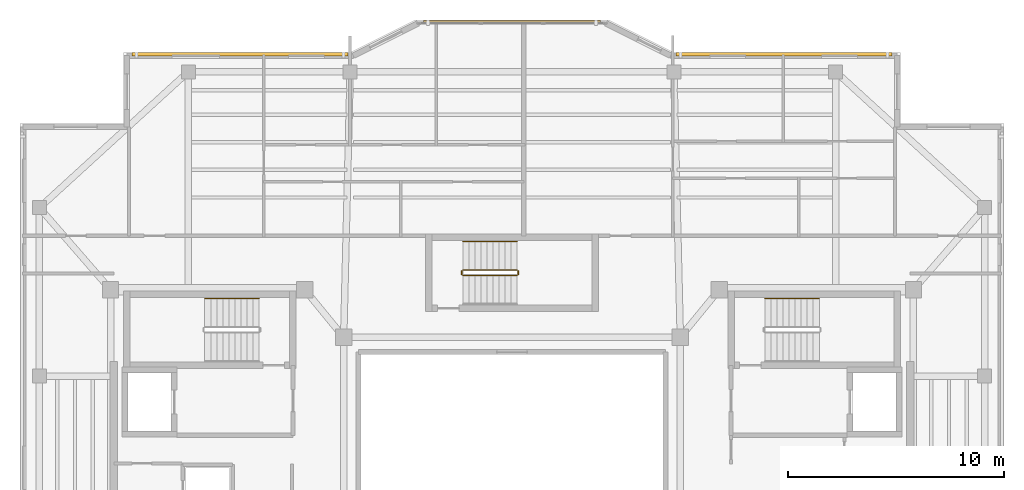
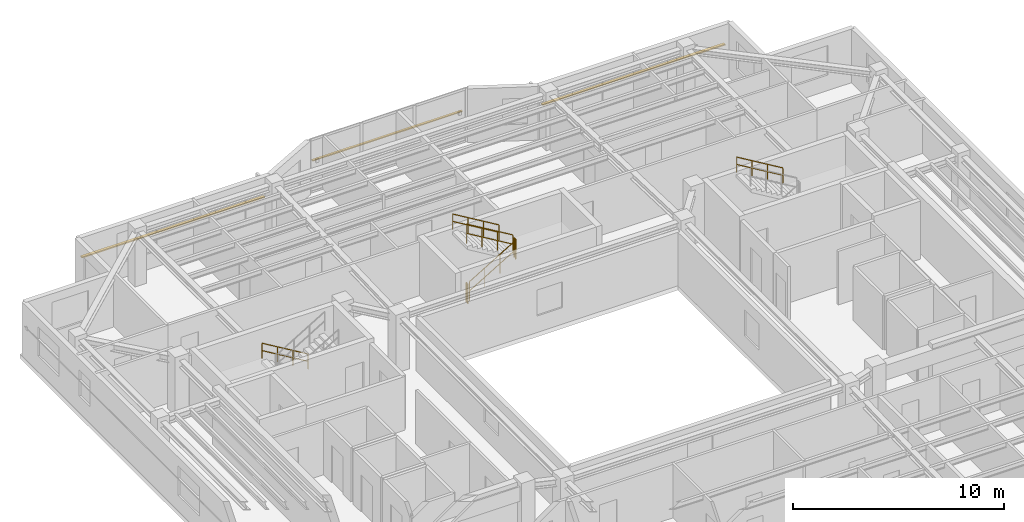
# One storey, part 13 of 13: 7 railings, 3 shading devices.
"""IFC4 building model written with IfcOpenShell, lengths in metres."""

from ifc_helpers import new_model, si_unit, direction, frame, origin, origin_2d, place, context, subcontext, project, spatial, rectangle, circle, extrude, material, material_profile, profile_set, type_object, element, save


model = new_model("IFC4")

# Units and contexts
model_context = context("Model", 3, precision=1e-05, world=origin(), true_north=direction((0.0, 1.0)))
body_context = subcontext(model_context, "Body", "Model", "MODEL_VIEW")
ifc_project = project(units=[si_unit("LENGTHUNIT", "METRE"), si_unit("AREAUNIT", "SQUARE_METRE"), si_unit("VOLUMEUNIT", "CUBIC_METRE"), si_unit("PLANEANGLEUNIT", "RADIAN"), si_unit("MASSUNIT", "GRAM", prefix="KILO")], contexts=[model_context])

# Site, building, storey
site_placement = place(None, origin())
site = spatial("IfcSite", under=ifc_project, at=site_placement, CompositionType="ELEMENT")
building_placement = place(site_placement, origin())
building = spatial("IfcBuilding", under=site, at=building_placement, Name="Tarnavaz Court Tower", CompositionType="ELEMENT")
storey_placement = place(building_placement, frame((0.0, 0.0, 251.550048828125)))
storey = spatial("IfcBuildingStorey", under=building, at=storey_placement, Name="L68", CompositionType="ELEMENT", Elevation=251.550048828125)

# Railings
ifc_material_1 = material(Name="Brushed Stainless Steel", Category="steel")
railing_type_1 = type_object("IfcRailingType", Name="RL-HANDRAIL-900", PredefinedType="HANDRAIL", material=ifc_material_1)
railing_1_placement = place(storey_placement, frame((-11.719970703125, 9.590087890625, 0.16748046875)))
element("IfcRailing", 1, at=railing_1_placement, inside=storey, type_object=railing_type_1, Name="L68 ST-W1 stair handrail 1", PredefinedType="HANDRAIL", context=body_context, shape_type="SweptSolid", body=[
    extrude(circle(Radius=0.02392578125, at=origin_2d()), frame((0.0, 0.0, 0.8759765625), z_axis=(-0.858159760407, 0.0, 0.513382728203), x_axis=(0.0, -1.0, 0.0)), (0.0, 0.0, 1.0), 2.9365234375),
    extrude(circle(Radius=0.02392578125, at=origin_2d()), frame((0.0, 0.0, 0.449951171875), z_axis=(-0.858159760407, 0.0, 0.513382728203), x_axis=(0.0, -1.0, 0.0)), (0.0, 0.0, 1.0), 2.9365234375),
    extrude(circle(Radius=0.02099609375, at=origin_2d()), origin(), (0.0, 0.0, 1.0), 0.851806640625),
    extrude(circle(Radius=0.02099609375, at=origin_2d()), frame((-0.840087890625, 0.0, 0.50244140625)), (0.0, 0.0, 1.0), 0.851806640625),
    extrude(circle(Radius=0.02099609375, at=origin_2d()), frame((-1.679931640625, 0.0, 1.005126953125)), (0.0, 0.0, 1.0), 0.851806640625),
    extrude(circle(Radius=0.02099609375, at=origin_2d()), frame((-2.52001953125, 0.0, 1.507568359375)), (0.0, 0.0, 1.0), 0.851806640625),
])
for number, where, name in (
    (2, (14.239990234375, 9.590087890625, 1.842529296875), "L68 ST-E1 stair handrail 2"),
    (3, (0.239990234375, 12.239990234375, 1.842529296875), "L68 ST-N1 stair handrail 2"),
):
    element("IfcRailing", number, at=place(storey_placement, frame(where)), inside=storey, type_object=railing_type_1, Name=name, PredefinedType="HANDRAIL", context=body_context, shape_type="SweptSolid", body=[
        extrude(circle(Radius=0.02392578125, at=origin_2d()), frame((0.0, 0.0, 0.8759765625), z_axis=(-0.858196387827, 0.0, 0.513321497621), x_axis=(0.0, -1.0, 0.0)), (0.0, 0.0, 1.0), 2.9365234375),
        extrude(circle(Radius=0.02392578125, at=origin_2d()), frame((0.0, 0.0, 0.449951171875), z_axis=(-0.858196387827, 0.0, 0.513321497621), x_axis=(0.0, -1.0, 0.0)), (0.0, 0.0, 1.0), 2.9365234375),
        extrude(circle(Radius=0.02099609375, at=origin_2d()), origin(), (0.0, 0.0, 1.0), 0.851806640625),
        extrude(circle(Radius=0.02099609375, at=origin_2d()), frame((-0.840087890625, 0.0, 0.50244140625)), (0.0, 0.0, 1.0), 0.851806640625),
        extrude(circle(Radius=0.02099609375, at=origin_2d()), frame((-1.679931640625, 0.0, 1.0048828125)), (0.0, 0.0, 1.0), 0.851806640625),
        extrude(circle(Radius=0.02099609375, at=origin_2d()), frame((-2.52001953125, 0.0, 1.50732421875)), (0.0, 0.0, 1.0), 0.851806640625),
    ])
ifc_material_2 = material(Name="Galvanized Painted Tubular Steel", Category="steel")
railing_type_2 = type_object("IfcRailingType", Name="RL-STGUARD-1120", PredefinedType="GUARDRAIL", material=ifc_material_2)
railing_2_placement = place(storey_placement, frame((-2.280029296875, 10.669921875, 0.16748046875)))
element("IfcRailing", 4, at=railing_2_placement, inside=storey, type_object=railing_type_2, Name="L68 ST-N1 stair guard 1", PredefinedType="GUARDRAIL", context=body_context, shape_type="SweptSolid", body=[
    extrude(circle(Radius=0.02392578125, at=origin_2d()), frame((0.0, 0.0, 1.09619140625), z_axis=(0.858159760407, 0.0, 0.513382728203), x_axis=(0.0, 1.0, 0.0)), (0.0, 0.0, 1.0), 2.9365234375),
    extrude(circle(Radius=0.02392578125, at=origin_2d()), frame((0.0, 0.0, 0.56005859375), z_axis=(0.858159760407, 0.0, 0.513382728203), x_axis=(0.0, 1.0, 0.0)), (0.0, 0.0, 1.0), 2.9365234375),
    extrude(circle(Radius=0.02099609375, at=origin_2d()), origin(), (0.0, 0.0, 1.0), 1.072021484375),
    extrude(circle(Radius=0.02099609375, at=origin_2d()), frame((0.840087890625, 0.0, 0.50244140625)), (0.0, 0.0, 1.0), 1.072021484375),
    extrude(circle(Radius=0.02099609375, at=origin_2d()), frame((1.679931640625, 0.0, 1.005126953125)), (0.0, 0.0, 1.0), 1.072021484375),
    extrude(circle(Radius=0.02099609375, at=origin_2d()), frame((2.52001953125, 0.0, 1.507568359375)), (0.0, 0.0, 1.0), 1.072021484375),
])
railing_3_placement = place(storey_placement, frame((0.2900390625, 10.719970703125, 1.675048828125)))
element("IfcRailing", 5, at=railing_3_placement, inside=storey, type_object=railing_type_2, Name="L68 ST-N1 stair guard 2", PredefinedType="GUARDRAIL", context=body_context, shape_type="SweptSolid", body=[
    extrude(circle(Radius=0.02392578125, at=origin_2d()), frame((0.0, 0.0, 1.09619140625), z_axis=(0.0, 1.0, 0.0), x_axis=(-1.0, 0.0, 0.0)), (0.0, 0.0, 1.0), 0.150146484375),
    extrude(circle(Radius=0.02392578125, at=origin_2d()), frame((0.0, 0.0, 0.56005859375), z_axis=(0.0, 1.0, 0.0), x_axis=(-1.0, 0.0, 0.0)), (0.0, 0.0, 1.0), 0.150146484375),
    extrude(circle(Radius=0.02099609375, at=origin_2d()), origin(), (0.0, 0.0, 1.0), 1.072021484375),
    extrude(circle(Radius=0.02099609375, at=origin_2d()), frame((0.0, 0.150146484375, 0.0)), (0.0, 0.0, 1.0), 1.072021484375),
])
railing_4_placement = place(storey_placement, frame((0.239990234375, 10.919921875, 1.842529296875)))
element("IfcRailing", 6, at=railing_4_placement, inside=storey, type_object=railing_type_2, Name="L68 ST-N1 stair guard 3", PredefinedType="GUARDRAIL", context=body_context, shape_type="SweptSolid", body=[
    extrude(circle(Radius=0.02392578125, at=origin_2d()), frame((0.0, 0.0, 1.09619140625), z_axis=(-0.858196387827, 0.0, 0.513321497621), x_axis=(0.0, -1.0, 0.0)), (0.0, 0.0, 1.0), 2.9365234375),
    extrude(circle(Radius=0.02392578125, at=origin_2d()), frame((0.0, 0.0, 0.56005859375), z_axis=(-0.858196387827, 0.0, 0.513321497621), x_axis=(0.0, -1.0, 0.0)), (0.0, 0.0, 1.0), 2.9365234375),
    extrude(circle(Radius=0.02099609375, at=origin_2d()), origin(), (0.0, 0.0, 1.0), 1.072021484375),
    extrude(circle(Radius=0.02099609375, at=origin_2d()), frame((-0.840087890625, 0.0, 0.50244140625)), (0.0, 0.0, 1.0), 1.072021484375),
    extrude(circle(Radius=0.02099609375, at=origin_2d()), frame((-1.679931640625, 0.0, 1.0048828125)), (0.0, 0.0, 1.0), 1.072021484375),
    extrude(circle(Radius=0.02099609375, at=origin_2d()), frame((-2.52001953125, 0.0, 1.50732421875)), (0.0, 0.0, 1.0), 1.072021484375),
])
railing_5_placement = place(storey_placement, frame((-2.330078125, 10.719970703125, 0.0)))
element("IfcRailing", 7, at=railing_5_placement, inside=storey, type_object=railing_type_2, Name="L68 ST-N1 stair guard 4", PredefinedType="GUARDRAIL", context=body_context, shape_type="SweptSolid", body=[
    extrude(circle(Radius=0.02392578125, at=origin_2d()), frame((0.0, 0.0, 1.09619140625), z_axis=(0.0, 1.0, 0.0), x_axis=(-1.0, 0.0, 0.0)), (0.0, 0.0, 1.0), 0.150146484375),
    extrude(circle(Radius=0.02392578125, at=origin_2d()), frame((0.0, 0.0, 0.56005859375), z_axis=(0.0, 1.0, 0.0), x_axis=(-1.0, 0.0, 0.0)), (0.0, 0.0, 1.0), 0.150146484375),
    extrude(circle(Radius=0.02099609375, at=origin_2d()), origin(), (0.0, 0.0, 1.0), 1.072021484375),
    extrude(circle(Radius=0.02099609375, at=origin_2d()), frame((0.0, 0.150146484375, 0.0)), (0.0, 0.0, 1.0), 1.072021484375),
])

# Shading devices
ifc_material_3 = material(Name="Kiln-Fired Khorasan Terracotta Ceramic", Category="masonry")
ifc_material_profile_1 = material_profile(ifc_material_3, rectangle(XDim=0.1201171875, YDim=0.06005859375, at=origin_2d()), Name="TC BAGUETTE 120X60")
ifc_profile_set_1 = profile_set([ifc_material_profile_1], Name="Kiln-Fired Khorasan Terracotta Ceramic")
shading_device_type_1 = type_object("IfcShadingDeviceType", Name="SD-BAG-120", PredefinedType="USERDEFINED", material=ifc_profile_set_1)
shading_device_placement = place(storey_placement, frame((-4.10009765625, 22.409912109375, 1.800048828125), z_axis=(1.0, 0.0, 0.0), x_axis=(0.0, 1.0, 0.0)))
element("IfcShadingDevice", 8, at=shading_device_placement, inside=storey, type_object=shading_device_type_1, Name="L68 Terracotta Baguette Screen PBG7", ObjectType="BAGUETTE", PredefinedType="USERDEFINED", context=body_context, shape_type="SweptSolid", body=[
    extrude(rectangle(XDim=0.1201171875, YDim=0.06005859375, at=origin_2d()), origin(), (0.0, 0.0, 1.0), 8.2001953125),
])
ifc_material_profile_2 = material_profile(ifc_material_3, rectangle(XDim=0.14990234375, YDim=0.06494140625, at=origin_2d()), Name="TC BAGUETTE 150X65")
ifc_profile_set_2 = profile_set([ifc_material_profile_2], Name="Kiln-Fired Khorasan Terracotta Ceramic")
shading_device_type_2 = type_object("IfcShadingDeviceType", Name="SD-BAG-150", PredefinedType="USERDEFINED", material=ifc_profile_set_2)
for number, where, z_axis, x_axis, name in (
    (9, (-17.60009765625, 20.909912109375, 1.849853515625), (1.0, 0.0, 0.0), (0.0, 1.0, 0.0), "L68 Terracotta Baguette Screen FBG05"),
    (10, (7.60009765625, 20.909912109375, 1.849853515625), (1.0, 0.0, 0.0), (0.0, 1.0, 0.0), "L68 Terracotta Baguette Screen FBG09"),
):
    element("IfcShadingDevice", number, at=place(storey_placement, frame(where, z_axis=z_axis, x_axis=x_axis)), inside=storey, type_object=shading_device_type_2, Name=name, ObjectType="BAGUETTE", PredefinedType="USERDEFINED", context=body_context, shape_type="SweptSolid", body=[
        extrude(rectangle(XDim=0.14990234375, YDim=0.06494140625, at=origin_2d()), origin(), (0.0, 0.0, 1.0), 10.0),
    ])

save(model, "model.ifc")
